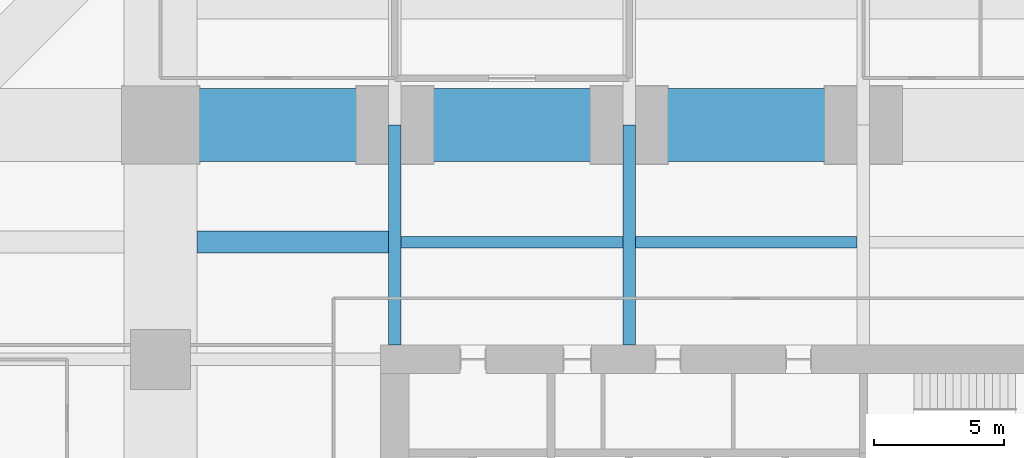
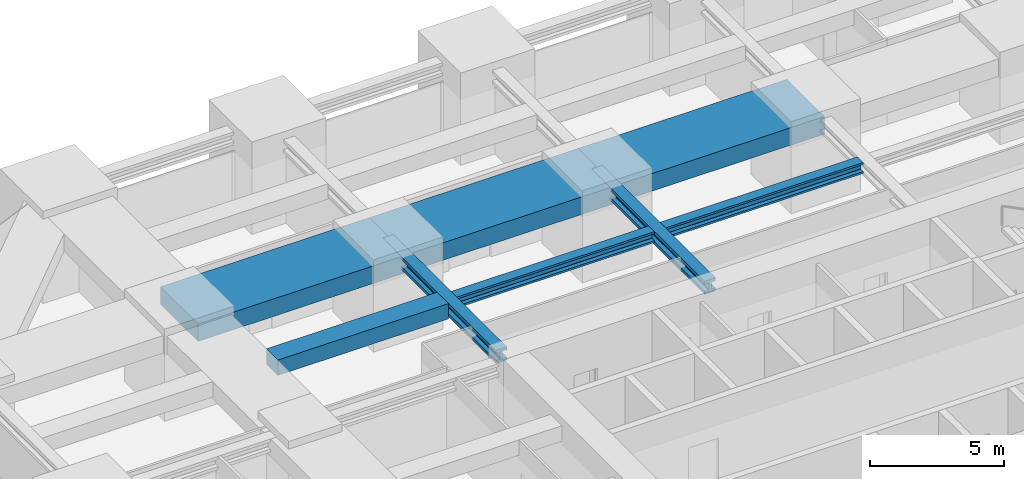
# One storey, part 25 of 42: 8 beams.
"""IFC4 building model written with IfcOpenShell, lengths in metres."""

from ifc_helpers import new_model, si_unit, direction, frame, origin, origin_2d, place, context, subcontext, project, spatial, rectangle, i_section, extrude, material, material_profile, profile_set, type_object, element, save


model = new_model("IFC4")

# Units and contexts
model_context = context("Model", 3, precision=1e-05, world=origin(), true_north=direction((0.0, 1.0)))
body_context = subcontext(model_context, "Body", "Model", "MODEL_VIEW")
ifc_project = project(units=[si_unit("LENGTHUNIT", "METRE"), si_unit("AREAUNIT", "SQUARE_METRE"), si_unit("VOLUMEUNIT", "CUBIC_METRE"), si_unit("PLANEANGLEUNIT", "RADIAN"), si_unit("MASSUNIT", "GRAM", prefix="KILO")], contexts=[model_context])

# Site, building, storey
site_placement = place(None, origin())
site = spatial("IfcSite", under=ifc_project, at=site_placement, CompositionType="ELEMENT")
building_placement = place(site_placement, origin())
building = spatial("IfcBuilding", under=site, at=building_placement, Name="Zorevar Civic Tower", CompositionType="ELEMENT")
storey_placement = place(building_placement, frame((0.0, 0.0, 75.800048828125)))
storey = spatial("IfcBuildingStorey", under=building, at=storey_placement, Name="L18", CompositionType="ELEMENT", Elevation=75.800048828125)

# Beams
ifc_material_1 = material(Name="Concrete C50/60", Category="concrete")
ifc_material_profile_1 = material_profile(ifc_material_1, rectangle(XDim=2.800048828125, YDim=0.800048828125, at=origin_2d()), Name="RC 2800x800")
ifc_profile_set_1 = profile_set([ifc_material_profile_1], Name="Concrete C50/60")
beam_type_1 = type_object("IfcBeamType", Name="Beam RC 2800x800", PredefinedType="BEAM", material=ifc_profile_set_1)
for number, where, z_axis, x_axis, name in (
    (1, (9.0, 45.0, 3.449951171875), (1.0, 0.0, 0.0), (0.0, 1.0, 0.0), "Girder L19"),
    (2, (18.0, 45.0, 3.449951171875), (1.0, 0.0, 0.0), (0.0, 1.0, 0.0), "Girder L19"),
    (3, (27.0, 45.0, 3.449951171875), (1.0, 0.0, 0.0), (0.0, 1.0, 0.0), "Girder L19"),
):
    element("IfcBeam", number, at=place(storey_placement, frame(where, z_axis=z_axis, x_axis=x_axis)), inside=storey, type_object=beam_type_1, Name=name, PredefinedType="BEAM", context=body_context, shape_type="SweptSolid", body=[
        extrude(rectangle(XDim=2.800048828125, YDim=0.800048828125, at=origin_2d()), origin(), (0.0, 0.0, 1.0), 9.0),
    ])
ifc_material_2 = material(Name="Concrete C50/60", Category="concrete")
ifc_material_profile_2 = material_profile(ifc_material_2, rectangle(XDim=0.85009765625, YDim=0.699951171875, at=origin_2d()), Name="RC 850x700")
ifc_profile_set_2 = profile_set([ifc_material_profile_2], Name="Concrete C50/60")
beam_type_2 = type_object("IfcBeamType", Name="Beam RC 850x700", PredefinedType="BEAM", material=ifc_profile_set_2)
beam_placement = place(storey_placement, frame((10.39990234375, 40.5, 3.5), z_axis=(1.0, 0.0, 0.0), x_axis=(0.0, 1.0, 0.0)))
element("IfcBeam", 4, at=beam_placement, inside=storey, type_object=beam_type_2, Name="Secondary beam L19", PredefinedType="BEAM", context=body_context, shape_type="SweptSolid", body=[
    extrude(rectangle(XDim=0.85009765625, YDim=0.699951171875, at=origin_2d()), origin(), (0.0, 0.0, 1.0), 7.362060546875),
])
ifc_material_3 = material(Name="Steel S460M (HISTAR 460)", Category="steel")
ifc_material_profile_3 = material_profile(ifc_material_3, i_section(OverallWidth=0.431884765625, OverallDepth=0.498046875, WebThickness=0.0556640625, FlangeThickness=0.0888671875, FilletRadius=0.014892578125, at=origin_2d()), Name="HD 400x744")
ifc_profile_set_3 = profile_set([ifc_material_profile_3], Name="Steel S460M (HISTAR 460)")
beam_type_3 = type_object("IfcBeamType", Name="Core bay beam HD 400x744", PredefinedType="BEAM", material=ifc_profile_set_3)
for number, where, z_axis, x_axis, name in (
    (5, (18.238037109375, 40.5, 3.600830078125), (1.0, 0.0, 0.0), (0.0, 1.0, 0.0), "Secondary beam L19"),
    (6, (27.238037109375, 40.5, 3.600830078125), (1.0, 0.0, 0.0), (0.0, 1.0, 0.0), "Secondary beam L19"),
):
    element("IfcBeam", number, at=place(storey_placement, frame(where, z_axis=z_axis, x_axis=x_axis)), inside=storey, type_object=beam_type_3, Name=name, PredefinedType="BEAM", context=body_context, shape_type="SweptSolid", body=[
        extrude(i_section(OverallWidth=0.431884765625, OverallDepth=0.498046875, WebThickness=0.0556640625, FlangeThickness=0.0888671875, FilletRadius=0.014892578125, at=origin_2d()), origin(), (0.0, 0.0, 1.0), 8.52392578125),
    ])
ifc_material_4 = material(Name="Steel S460M (HISTAR 460)", Category="steel")
ifc_material_profile_4 = material_profile(ifc_material_4, i_section(OverallWidth=0.47607421875, OverallDepth=0.60009765625, WebThickness=0.10009765625, FlangeThickness=0.139892578125, FilletRadius=0.014892578125, at=origin_2d()), Name="HD 400x1299")
ifc_profile_set_4 = profile_set([ifc_material_profile_4], Name="Steel S460M (HISTAR 460)")
beam_type_4 = type_object("IfcBeamType", Name="Outrigger chord HD 400x1299", PredefinedType="BEAM", material=ifc_profile_set_4)
for number, where, z_axis, x_axis, name in (
    (7, (18.0, 36.550048828125, 3.550048828125), (0.0, 1.0, 0.0), (-1.0, 0.0, 0.0), "Outrigger chord L19"),
    (8, (27.0, 36.550048828125, 3.550048828125), (0.0, 1.0, 0.0), (-1.0, 0.0, 0.0), "Outrigger chord L19"),
):
    element("IfcBeam", number, at=place(storey_placement, frame(where, z_axis=z_axis, x_axis=x_axis)), inside=storey, type_object=beam_type_4, Name=name, PredefinedType="BEAM", context=body_context, shape_type="SweptSolid", body=[
        extrude(i_section(OverallWidth=0.47607421875, OverallDepth=0.60009765625, WebThickness=0.10009765625, FlangeThickness=0.139892578125, FilletRadius=0.014892578125, at=origin_2d()), origin(), (0.0, 0.0, 1.0), 8.449951171875),
    ])

save(model, "model.ifc")
